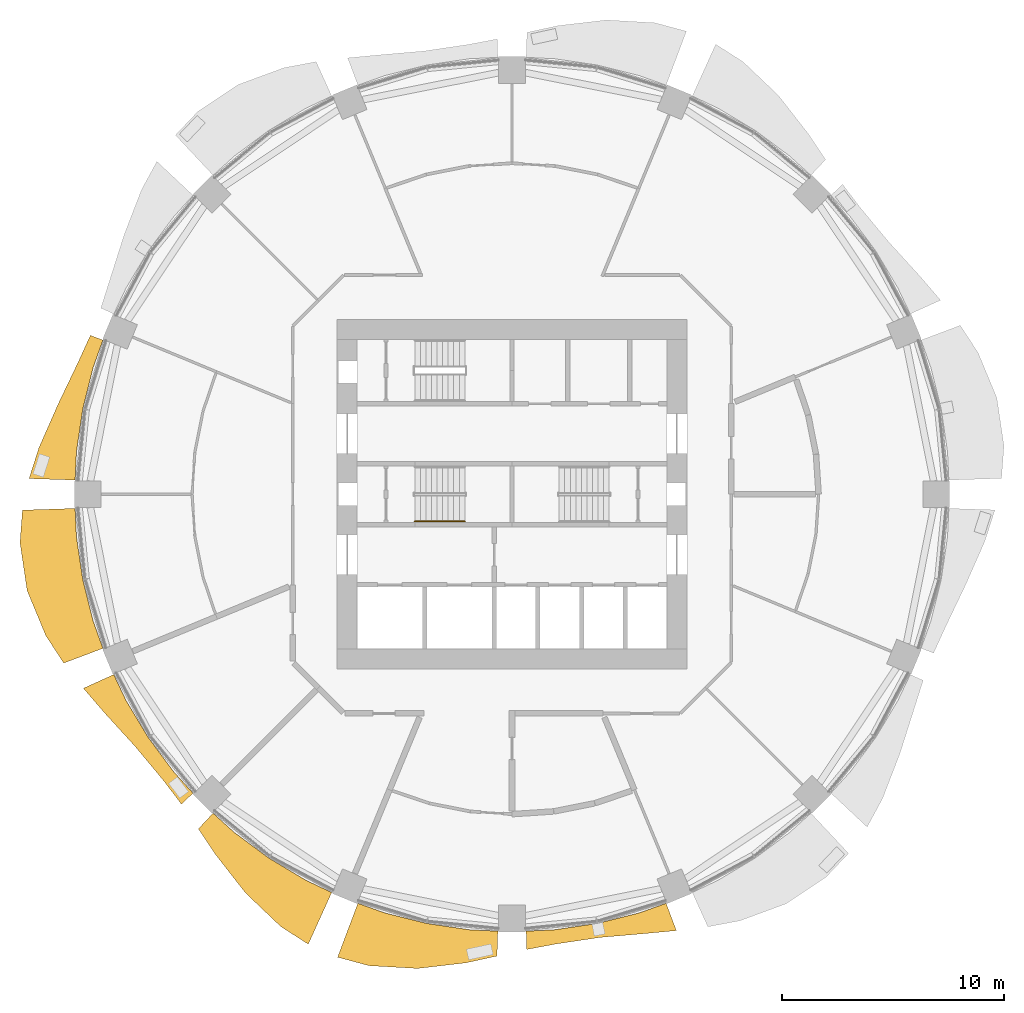
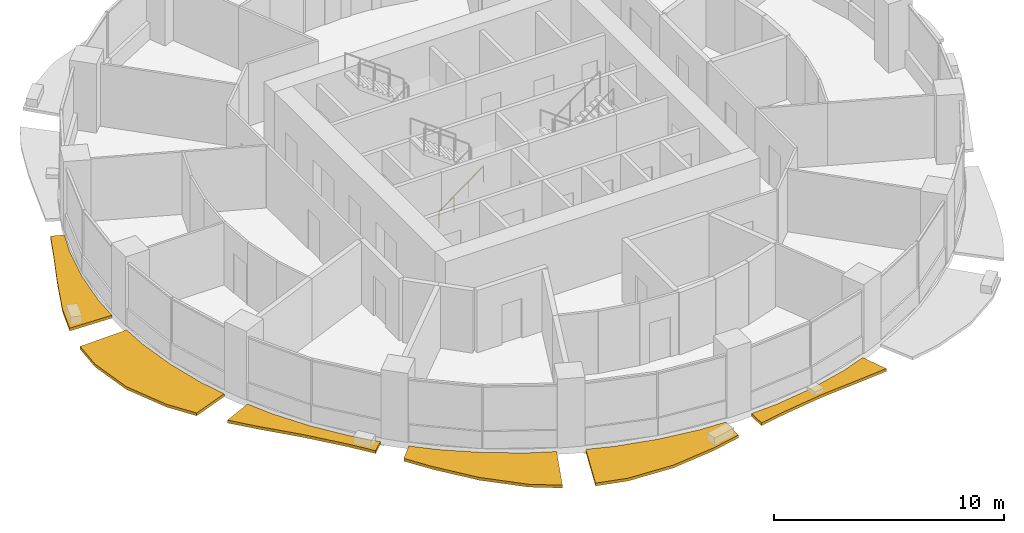
# One storey, part 12 of 15: 6 shading devices, 1 railing.
"""IFC4 building model written with IfcOpenShell, lengths in metres."""

from ifc_helpers import new_model, si_unit, direction, frame, origin, origin_2d, place, context, subcontext, project, spatial, polyline, circle, outline, extrude, material, type_object, element, save


model = new_model("IFC4")

# Units and contexts
model_context = context("Model", 3, precision=1e-05, world=origin(), true_north=direction((0.0, 1.0)))
body_context = subcontext(model_context, "Body", "Model", "MODEL_VIEW")
ifc_project = project(units=[si_unit("LENGTHUNIT", "METRE"), si_unit("AREAUNIT", "SQUARE_METRE"), si_unit("VOLUMEUNIT", "CUBIC_METRE"), si_unit("PLANEANGLEUNIT", "RADIAN"), si_unit("MASSUNIT", "GRAM", prefix="KILO")], contexts=[model_context])

# Site, building, storey
site_placement = place(None, origin())
site = spatial("IfcSite", under=ifc_project, at=site_placement, CompositionType="ELEMENT")
building_placement = place(site_placement, origin())
building = spatial("IfcBuilding", under=site, at=building_placement, Name="Polderwave Tower", CompositionType="ELEMENT")
storey_placement = place(building_placement, frame((0.0, 0.0, 40.800048828125)))
storey = spatial("IfcBuildingStorey", under=building, at=storey_placement, Name="L10", CompositionType="ELEMENT", Elevation=40.800048828125)

# Railing
ifc_material_1 = material(Name="Stainless steel", Category="steel")
railing_type = type_object("IfcRailingType", Name="Stair handrail 900", PredefinedType="HANDRAIL", material=ifc_material_1)
railing_placement = place(storey_placement, frame((-4.3740234375, -1.22509765625, 0.182373046875)))
element("IfcRailing", 1, at=railing_placement, inside=storey, type_object=railing_type, Name="L10 ST-A stair handrail 1", PredefinedType="HANDRAIL", context=body_context, shape_type="SweptSolid", body=[
    extrude(circle(Radius=0.02392578125, at=origin_2d()), frame((0.0, 0.0, 0.8759765625), z_axis=(0.807673635365, 0.0, 0.58962979804), x_axis=(0.0, 1.0, 0.0)), (0.0, 0.0, 1.0), 2.785888671875),
    extrude(circle(Radius=0.02099609375, at=origin_2d()), origin(), (0.0, 0.0, 1.0), 0.851806640625),
    extrude(circle(Radius=0.02099609375, at=origin_2d()), frame((0.75, 0.0, 0.547607421875)), (0.0, 0.0, 1.0), 0.851806640625),
    extrude(circle(Radius=0.02099609375, at=origin_2d()), frame((1.5, 0.0, 1.094970703125)), (0.0, 0.0, 1.0), 0.851806640625),
    extrude(circle(Radius=0.02099609375, at=origin_2d()), frame((2.25, 0.0, 1.642578125)), (0.0, 0.0, 1.0), 0.851806640625),
])

# Shading devices
ifc_material_2 = material(Name="Terracotta", Category="masonry")
shading_device_type = type_object("IfcShadingDeviceType", Name="Terracotta sunshade band", PredefinedType="USERDEFINED", material=ifc_material_2)
shading_device_1_placement = place(storey_placement, frame((0.0, 0.0, -0.35009765625)))
element("IfcShadingDevice", 2, at=shading_device_1_placement, inside=storey, type_object=shading_device_type, Name="Sunshade band L10 8", ObjectType="SUNSHADE", PredefinedType="USERDEFINED", context=body_context, shape_type="SweptSolid", body=[
    extrude(outline(polyline([(-18.4248046875, 6.94140625), (-18.861328125, 5.721435546875), (-19.331298828125, 3.84521484375), (-19.614990234375, 1.931884765625), (-19.6787109375, 0.637939453125), (-21.7529296875, 0.705078125), (-21.307373046875, 2.0986328125), (-20.4404296875, 4.06591796875), (-19.549560546875, 5.930419921875), (-18.990966796875, 7.154541015625), (-18.4248046875, 6.94140625)])), origin(), (0.0, 0.0, 1.0), 0.150146484375),
])
shading_device_2_placement = place(storey_placement, frame((0.0, 0.0, -0.35009765625)))
element("IfcShadingDevice", 3, at=shading_device_2_placement, inside=storey, type_object=shading_device_type, Name="Sunshade band L10 9", ObjectType="SUNSHADE", PredefinedType="USERDEFINED", context=body_context, shape_type="SweptSolid", body=[
    extrude(outline(polyline([(-19.6787109375, -0.637939453125), (-19.614990234375, -1.931884765625), (-19.331298828125, -3.84521484375), (-18.861328125, -5.721435546875), (-18.4248046875, -6.94140625), (-20.189697265625, -7.606201171875), (-20.99755859375, -6.36962890625), (-21.83837890625, -4.343994140625), (-22.160400390625, -2.1826171875), (-22.05078125, -0.71484375), (-19.6787109375, -0.637939453125)])), origin(), (0.0, 0.0, 1.0), 0.150146484375),
])
shading_device_3_placement = place(storey_placement, frame((0.0, 0.0, -0.35009765625)))
element("IfcShadingDevice", 4, at=shading_device_3_placement, inside=storey, type_object=shading_device_type, Name="Sunshade band L10 10", ObjectType="SUNSHADE", PredefinedType="USERDEFINED", context=body_context, shape_type="SweptSolid", body=[
    extrude(outline(polyline([(-17.9365234375, -8.1201171875), (-17.3828125, -9.291259765625), (-16.38818359375, -10.9501953125), (-15.236083984375, -12.50390625), (-14.365966796875, -13.4638671875), (-14.8916015625, -13.956298828125), (-15.703857421875, -12.8876953125), (-16.984375, -11.3486328125), (-18.3759765625, -9.822265625), (-19.304443359375, -8.7392578125), (-17.9365234375, -8.1201171875)])), origin(), (0.0, 0.0, 1.0), 0.150146484375),
])
shading_device_4_placement = place(storey_placement, frame((0.0, 0.0, -0.35009765625)))
element("IfcShadingDevice", 5, at=shading_device_4_placement, inside=storey, type_object=shading_device_type, Name="Sunshade band L10 11", ObjectType="SUNSHADE", PredefinedType="USERDEFINED", context=body_context, shape_type="SweptSolid", body=[
    extrude(outline(polyline([(-13.4638671875, -14.365966796875), (-12.50390625, -15.236083984375), (-10.9501953125, -16.38818359375), (-9.291259765625, -17.3828125), (-8.1201171875, -17.9365234375), (-9.175048828125, -20.26708984375), (-10.41064453125, -19.476806640625), (-12.001708984375, -17.9619140625), (-13.336181640625, -16.250244140625), (-14.12451171875, -15.07080078125), (-13.4638671875, -14.365966796875)])), origin(), (0.0, 0.0, 1.0), 0.150146484375),
])
shading_device_5_placement = place(storey_placement, frame((0.0, 0.0, -0.35009765625)))
element("IfcShadingDevice", 6, at=shading_device_5_placement, inside=storey, type_object=shading_device_type, Name="Sunshade band L10 12", ObjectType="SUNSHADE", PredefinedType="USERDEFINED", context=body_context, shape_type="SweptSolid", body=[
    extrude(outline(polyline([(-6.94140625, -18.4248046875), (-5.721435546875, -18.861328125), (-3.84521484375, -19.331298828125), (-1.931884765625, -19.614990234375), (-0.637939453125, -19.6787109375), (-0.67431640625, -20.802734375), (-2.078857421875, -21.107421875), (-4.248779296875, -21.360595703125), (-6.441650390625, -21.235107421875), (-7.856201171875, -20.853271484375), (-6.94140625, -18.4248046875)])), origin(), (0.0, 0.0, 1.0), 0.150146484375),
])
shading_device_6_placement = place(storey_placement, frame((0.0, 0.0, -0.35009765625)))
element("IfcShadingDevice", 7, at=shading_device_6_placement, inside=storey, type_object=shading_device_type, Name="Sunshade band L10 13", ObjectType="SUNSHADE", PredefinedType="USERDEFINED", context=body_context, shape_type="SweptSolid", body=[
    extrude(outline(polyline([(0.637939453125, -19.6787109375), (1.931884765625, -19.614990234375), (3.84521484375, -19.331298828125), (5.721435546875, -18.861328125), (6.94140625, -18.4248046875), (7.404541015625, -19.654296875), (6.00244140625, -19.787109375), (3.970703125, -19.962646484375), (1.994873046875, -20.25439453125), (0.664794921875, -20.5048828125), (0.637939453125, -19.6787109375)])), origin(), (0.0, 0.0, 1.0), 0.150146484375),
])

save(model, "model.ifc")
